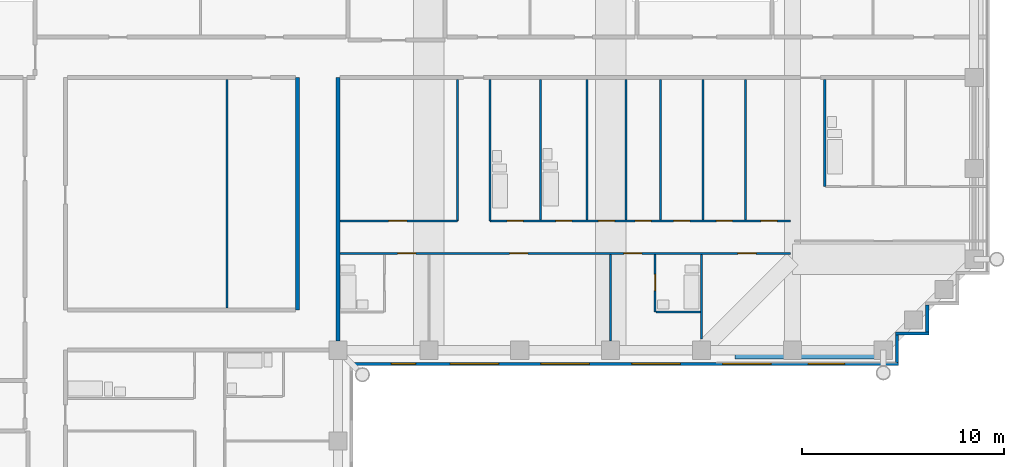
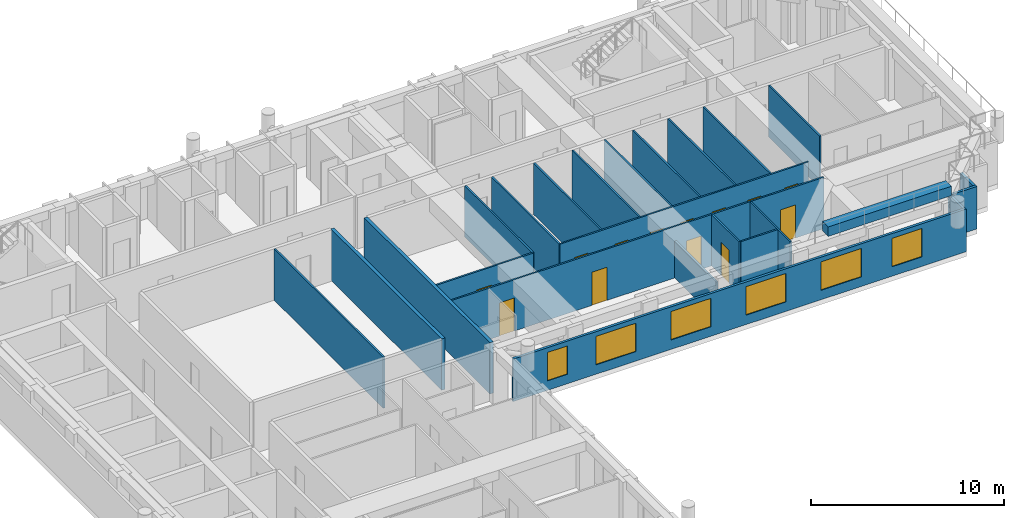
# One storey, part 4 of 9: 24 walls, 13 doors, 6 windows, 19 openings.
"""IFC4 building model written with IfcOpenShell, lengths in metres."""

import ifcopenshell
import ifcopenshell.guid

model = None  # the IFC model being written
_history = None  # IfcOwnerHistory: only IFC2X3 demands one
_inside = {}  # id of a spatial element -> (the spatial element, [elements in it])
_under = {}  # id of a project, library or spatial element -> (it, [spatial elements below it])
_declared = {}  # id of a project -> (the project, [libraries it declares])
_typed = {}  # id of a type object -> (the type object, [elements of that type])
_made_of = {}  # id of a material, layer set ... -> (it, [elements and type objects made of it])


def new_model(schema):
    """Start an empty IFC model of exactly this schema.

    Asked for "IFC4X3", IfcOpenShell would pick the latest addendum, in which some entities
    have other attributes; the version numbers below select the first issue.
    IFC2X3 requires an IfcOwnerHistory on every rooted entity: one is made here for all.
    """
    global model, _history
    if schema == "IFC4X3":
        model = ifcopenshell.file(schema_version=(4, 3, 0, 0))
    else:
        model = ifcopenshell.file(schema=schema)
    _inside.clear()
    _under.clear()
    _declared.clear()
    _typed.clear()
    _made_of.clear()
    _history = None
    if model.schema == "IFC2X3":
        org = make("IfcOrganization", Name="unknown")
        user = make(
            "IfcPersonAndOrganization",
            ThePerson=make("IfcPerson", FamilyName="unknown"),
            TheOrganization=org,
        )
        app = make(
            "IfcApplication",
            ApplicationDeveloper=org,
            Version="unknown",
            ApplicationFullName="unknown",
            ApplicationIdentifier="unknown",
        )
        _history = make(
            "IfcOwnerHistory",
            OwningUser=user,
            OwningApplication=app,
            ChangeAction="ADDED",
            CreationDate=0,
        )
    return model


def make(cls, **values):
    """One entity of the class cls with the attributes given. An attribute that is None is left unset."""
    return model.create_entity(
        cls, **{name: value for name, value in values.items() if value is not None}
    )


def rooted(cls, **values):
    """An entity with a GlobalId (a new one), such as an element, a storey or a relation."""
    return make(cls, GlobalId=ifcopenshell.guid.new(), OwnerHistory=_history, **values)


def si_unit(unit_type, name, prefix=None):
    """IfcSIUnit, for example si_unit("LENGTHUNIT", "METRE", prefix="MILLI")."""
    return make("IfcSIUnit", UnitType=unit_type, Prefix=prefix, Name=name)


def assignment(units):
    """IfcUnitAssignment: the units of a project."""
    return None if units is None else make("IfcUnitAssignment", Units=units)


def point(xyz):
    """IfcCartesianPoint."""
    return None if xyz is None else make("IfcCartesianPoint", Coordinates=xyz)


def direction(xyz):
    """IfcDirection."""
    return None if xyz is None else make("IfcDirection", DirectionRatios=xyz)


def frame(location, z_axis=None, x_axis=None):
    """IfcAxis2Placement3D, a coordinate frame: its origin and axes. An axis left out is left unset."""
    return make(
        "IfcAxis2Placement3D",
        Location=point(location),
        Axis=direction(z_axis),
        RefDirection=direction(x_axis),
    )


def frame_2d(location, x_axis=None):
    """IfcAxis2Placement2D, a coordinate frame in the plane: its origin and x axis."""
    return make(
        "IfcAxis2Placement2D", Location=point(location), RefDirection=direction(x_axis)
    )


def origin():
    """The frame at (0, 0, 0) with its axes left unset."""
    return frame((0.0, 0.0, 0.0))


def place(relative_to, where):
    """IfcLocalPlacement: puts the frame where relative to a parent placement (None: the world)."""
    return make(
        "IfcLocalPlacement", PlacementRelTo=relative_to, RelativePlacement=where
    )


def context(
    kind, dimensions, precision=None, world=None, true_north=None, identifier=None
):
    """IfcGeometricRepresentationContext, for example the 3D "Model" context."""
    return make(
        "IfcGeometricRepresentationContext",
        ContextIdentifier=identifier,
        ContextType=kind,
        CoordinateSpaceDimension=dimensions,
        Precision=precision,
        WorldCoordinateSystem=world,
        TrueNorth=true_north,
    )


def subcontext(parent, identifier, kind, view, scale=None):
    """IfcGeometricRepresentationSubContext, for example "Body" below "Model"."""
    return make(
        "IfcGeometricRepresentationSubContext",
        ContextIdentifier=identifier,
        ContextType=kind,
        ParentContext=parent,
        TargetScale=scale,
        TargetView=view,
    )


def project(units=None, contexts=None):
    """IfcProject with its units and contexts."""
    return rooted(
        "IfcProject",
        Name="project",
        RepresentationContexts=contexts,
        UnitsInContext=assignment(units),
    )


def spatial(cls, under=None, at=None, **own):
    """A site, building, storey or space (cls), placed at a placement, below another one or the project."""
    s = rooted(cls, ObjectPlacement=at, **own)
    if under is not None:
        _under.setdefault(under.id(), (under, []))[1].append(s)
    return s


def profile(cls, at=None, kind="AREA", **sizes):
    """A parametric profile (cls). Its sizes go by their IFC names, for example OverallWidth=200.0."""
    return make(cls, ProfileType=kind, Position=at, **sizes)


def rectangle(**sizes):
    """IfcRectangleProfileDef."""
    return profile("IfcRectangleProfileDef", **sizes)


def extrude(swept, where, along, depth):
    """IfcExtrudedAreaSolid: the profile swept, set in the frame where, extruded along a direction by depth."""
    return make(
        "IfcExtrudedAreaSolid",
        SweptArea=swept,
        Position=where,
        ExtrudedDirection=direction(along),
        Depth=depth,
    )


def shape(context_of_items, identifier, shape_type, items):
    """IfcShapeRepresentation: the items that make up one representation, for example the "Body"."""
    return make(
        "IfcShapeRepresentation",
        ContextOfItems=context_of_items,
        RepresentationIdentifier=identifier,
        RepresentationType=shape_type,
        Items=items,
    )


def material(Name=None, Category=None):
    """IfcMaterial."""
    return make("IfcMaterial", Name=Name, Category=Category)


def layer(
    of_material, thickness, ventilated=None, Name=None, Category=None, Priority=None
):
    """IfcMaterialLayer: one layer of a wall or slab, of a material (None: an air gap)."""
    return make(
        "IfcMaterialLayer",
        Material=of_material,
        LayerThickness=thickness,
        IsVentilated=ventilated,
        Name=Name,
        Category=Category,
        Priority=Priority,
    )


def layer_set(layers, Name=None):
    """IfcMaterialLayerSet."""
    return make("IfcMaterialLayerSet", MaterialLayers=layers, LayerSetName=Name)


def made_of(thing, what):
    """Note that an element or type object is made of a material, layer set ...; save() writes the relation."""
    if what is not None:
        _made_of.setdefault(what.id(), (what, []))[1].append(thing)
    return thing


def type_object(cls, material=None, **own):
    """A type object (cls), such as IfcWallType, which elements share."""
    return made_of(rooted(cls, **own), material)


def element(
    cls,
    number,
    at=None,
    inside=None,
    cuts=None,
    type_object=None,
    material=None,
    context=None,
    identifier="Body",
    shape_type=None,
    held_by="IfcProductDefinitionShape",
    body=None,
    shapes=None,
    **own,
):
    """One element of the class cls, such as IfcWall. Its Tag is "e" and its number.

    at: its placement. inside: the storey or other place that contains it. cuts: it is an
    opening in that element (IfcRelVoidsElement). A single representation is given by context,
    identifier, shape_type and body (its items); several are given by shapes. held_by: the class
    of the entity that holds the representations. save() writes the other relations.
    """
    e = rooted(cls, Tag="e%d" % number, ObjectPlacement=at, **own)
    if body is not None:
        shapes = [shape(context, identifier, shape_type, body)]
    if shapes is not None:
        e.Representation = make(held_by, Representations=shapes)
    if inside is not None:
        _inside.setdefault(inside.id(), (inside, []))[1].append(e)
    if cuts is not None:
        rooted(
            "IfcRelVoidsElement", RelatingBuildingElement=cuts, RelatedOpeningElement=e
        )
    if type_object is not None:
        _typed.setdefault(type_object.id(), (type_object, []))[1].append(e)
    return made_of(e, material)


def fill(opening, filler):
    """IfcRelFillsElement: the door or window that sits in an opening."""
    return rooted(
        "IfcRelFillsElement",
        RelatingOpeningElement=opening,
        RelatedBuildingElement=filler,
    )


def aggregate(whole, parts):
    """IfcRelAggregates: a whole, such as a stair, and the parts it consists of."""
    return rooted("IfcRelAggregates", RelatingObject=whole, RelatedObjects=parts)


def save(model, path):
    """Write the relations noted so far, then the file.

    IfcRelAggregates (storeys below a building ...), IfcRelContainedInSpatialStructure (elements
    in a storey), IfcRelDefinesByType, IfcRelAssociatesMaterial and IfcRelDeclares: one each for
    every whole, place, type object, material and project.
    """
    for whole, parts in _under.values():
        aggregate(whole, parts)
    for where, things in _inside.values():
        rooted(
            "IfcRelContainedInSpatialStructure",
            RelatedElements=things,
            RelatingStructure=where,
        )
    for kind, things in _typed.values():
        rooted("IfcRelDefinesByType", RelatedObjects=things, RelatingType=kind)
    for what, things in _made_of.values():
        rooted("IfcRelAssociatesMaterial", RelatedObjects=things, RelatingMaterial=what)
    for by, libraries in _declared.values():
        rooted("IfcRelDeclares", RelatingContext=by, RelatedDefinitions=libraries)
    model.write(path)


model = new_model("IFC4")

# Units and contexts
model_context = context("Model", 3, precision=1e-05, world=origin(), true_north=direction((0.0, 1.0)))
body_context = subcontext(model_context, "Body", "Model", "MODEL_VIEW")
ifc_project = project(units=[si_unit("LENGTHUNIT", "METRE"), si_unit("AREAUNIT", "SQUARE_METRE"), si_unit("VOLUMEUNIT", "CUBIC_METRE"), si_unit("PLANEANGLEUNIT", "RADIAN"), si_unit("MASSUNIT", "GRAM", prefix="KILO")], contexts=[model_context])

# Site, building, storey
site_placement = place(None, origin())
site = spatial("IfcSite", under=ifc_project, at=site_placement, CompositionType="ELEMENT")
building_placement = place(site_placement, origin())
building = spatial("IfcBuilding", under=site, at=building_placement, Name="Firuza Court", CompositionType="ELEMENT")
storey_placement = place(building_placement, frame((0.0, 0.0, 229.39990234375)))
storey = spatial("IfcBuildingStorey", under=building, at=storey_placement, Name="L59", CompositionType="ELEMENT", Elevation=229.39990234375)

# Wall, opening, door
ifc_material_1 = material(Name="Moisture-resistant gypsum board partition")
ifc_layer_1 = layer(ifc_material_1, 0.10009765625)
ifc_layer_set_1 = layer_set([ifc_layer_1], Name="Moisture-resistant gypsum board partition")
wall_type_1 = type_object("IfcWallType", Name="Bathroom partition 100", PredefinedType="PLUMBINGWALL", material=ifc_layer_set_1)
wall_1_placement = place(storey_placement, frame((38.199951171875, 37.89990234375, 0.0), z_axis=(0.0, 0.0, 1.0), x_axis=(0.0, 1.0, 0.0)))
wall_1 = element("IfcWall", 1, at=wall_1_placement, inside=storey, type_object=wall_type_1, Name="Bathroom partition 100 L59", PredefinedType="PLUMBINGWALL", context=body_context, shape_type="SweptSolid", body=[
    extrude(rectangle(XDim=2.85009765625, YDim=0.10009765625, at=frame_2d((1.425048828125, 0.0))), origin(), (0.0, 0.0, 1.0), 3.25),
])
opening_1_placement = place(wall_1_placement, frame((1.050048828125, 0.0, 0.0)))
opening_1 = element("IfcOpeningElement", 2, at=opening_1_placement, cuts=wall_1, Name="Opening D59027", PredefinedType="OPENING", context=body_context, shape_type="SweptSolid", body=[
    extrude(rectangle(XDim=0.800048828125, YDim=2.10009765625, at=frame_2d((0.39990234375, 1.050048828125))), frame((0.0, 0.06201171875, 0.0), z_axis=(0.0, -1.0, 0.0), x_axis=(1.0, 0.0, 0.0)), (0.0, 0.0, 1.0), 0.1240234375),
])
ifc_material_2 = material(Name="Timber door leaf in hardwood frame", Category="wood")
door_type_1 = type_object("IfcDoorType", Name="Bathroom door 800", OperationType="SINGLE_SWING_LEFT", PredefinedType="DOOR", material=ifc_material_2)
door_1_placement = place(opening_1_placement, frame((0.800048828125, 0.0, 0.0), z_axis=(0.0, 0.0, 1.0), x_axis=(-1.0, 0.0, 0.0)))
door_1 = element("IfcDoor", 3, at=door_1_placement, inside=storey, type_object=door_type_1, Name="En-suite door", OperationType="SINGLE_SWING_RIGHT", OverallHeight=2.10009765625, OverallWidth=0.800048828125, PredefinedType="DOOR", context=body_context, shape_type="SweptSolid", body=[
    extrude(rectangle(XDim=0.800048828125, YDim=2.10009765625, at=frame_2d((0.39990234375, 1.050048828125))), frame((0.0, 0.02490234375, 0.0), z_axis=(0.0, -1.0, 0.0), x_axis=(1.0, 0.0, 0.0)), (0.0, 0.0, 1.0), 0.050048828125),
])
fill(opening_1, door_1)

# Walls
wall_2_placement = place(storey_placement, frame((38.25, 37.89990234375, 0.0), z_axis=(0.0, 0.0, 1.0), x_axis=(1.0, 0.0, 0.0)))
element("IfcWall", 4, at=wall_2_placement, inside=storey, type_object=wall_type_1, Name="Bathroom partition 100 L59", PredefinedType="PLUMBINGWALL", context=body_context, shape_type="SweptSolid", body=[
    extrude(rectangle(XDim=2.199951171875, YDim=0.10009765625, at=frame_2d((1.10009765625, 0.0))), origin(), (0.0, 0.0, 1.0), 3.25),
])
wall_3_placement = place(storey_placement, frame((30.014892578125, 42.39990234375, 0.0), z_axis=(0.0, 0.0, 1.0), x_axis=(0.0, 1.0, 0.0)))
element("IfcWall", 5, at=wall_3_placement, inside=storey, type_object=wall_type_1, Name="Bathroom partition 100 L59", PredefinedType="PLUMBINGWALL", context=body_context, shape_type="SweptSolid", body=[
    extrude(rectangle(XDim=7.0, YDim=0.10009765625, at=frame_2d((3.5, 0.0))), origin(), (0.0, 0.0, 1.0), 3.25),
])
for number, where, z_axis, x_axis, name in (
    (6, (32.528076171875, 42.449951171875, 0.0), (0.0, 0.0, 1.0), (0.0, 1.0, 0.0), "Bathroom partition 100 L59"),
    (7, (34.840087890625, 42.449951171875, 0.0), (0.0, 0.0, 1.0), (0.0, 1.0, 0.0), "Bathroom partition 100 L59"),
):
    element("IfcWall", number, at=place(storey_placement, frame(where, z_axis=z_axis, x_axis=x_axis)), inside=storey, type_object=wall_type_1, Name=name, PredefinedType="PLUMBINGWALL", context=body_context, shape_type="SweptSolid", body=[
        extrude(rectangle(XDim=6.949951171875, YDim=0.10009765625, at=frame_2d((3.47509765625, 0.0))), origin(), (0.0, 0.0, 1.0), 3.25),
    ])
wall_4_placement = place(storey_placement, frame((46.60009765625, 44.10009765625, 0.0), z_axis=(0.0, 0.0, 1.0), x_axis=(0.0, 1.0, 0.0)))
element("IfcWall", 8, at=wall_4_placement, inside=storey, type_object=wall_type_1, Name="Bathroom partition 100 L59", PredefinedType="PLUMBINGWALL", context=body_context, shape_type="SweptSolid", body=[
    extrude(rectangle(XDim=5.2998046875, YDim=0.10009765625, at=frame_2d((2.64990234375, 0.0))), origin(), (0.0, 0.0, 1.0), 3.25),
])
ifc_material_3 = material(Name="Blockwork, plastered both sides", Category="masonry")
ifc_layer_2 = layer(ifc_material_3, 0.199951171875)
ifc_layer_set_2 = layer_set([ifc_layer_2], Name="Blockwork, plastered both sides")
wall_type_2 = type_object("IfcWallType", Name="Corridor wall 200", PredefinedType="PARTITIONING", material=ifc_layer_set_2)
wall_5_placement = place(storey_placement, frame((20.5, 38.0, 0.0), z_axis=(0.0, 0.0, 1.0), x_axis=(0.0, 1.0, 0.0)))
element("IfcWall", 9, at=wall_5_placement, inside=storey, type_object=wall_type_2, Name="Corridor wall 200 L59", PredefinedType="PARTITIONING", context=body_context, shape_type="SweptSolid", body=[
    extrude(rectangle(XDim=11.5, YDim=0.199951171875, at=frame_2d((5.75, 0.0))), origin(), (0.0, 0.0, 1.0), 3.25),
])
ifc_material_4 = material(Name="Timber stud partition, plasterboard both sides", Category="wood")
ifc_layer_3 = layer(ifc_material_4, 0.10009765625)
ifc_layer_set_3 = layer_set([ifc_layer_3], Name="Timber stud partition, plasterboard both sides")
wall_type_3 = type_object("IfcWallType", Name="Partition wall 100", PredefinedType="PARTITIONING", material=ifc_layer_set_3)
wall_6_placement = place(storey_placement, frame((36.0, 36.449951171875, 0.0), z_axis=(0.0, 0.0, 1.0), x_axis=(0.0, 1.0, 0.0)))
element("IfcWall", 10, at=wall_6_placement, inside=storey, type_object=wall_type_3, Name="Partition wall 100 L59", PredefinedType="PARTITIONING", context=body_context, shape_type="SweptSolid", body=[
    extrude(rectangle(XDim=4.300048828125, YDim=0.10009765625, at=frame_2d((2.14990234375, 0.0))), origin(), (0.0, 0.0, 1.0), 2.35009765625),
])
wall_7_placement = place(storey_placement, frame((40.5, 36.565673828125, 0.0), z_axis=(0.0, 0.0, 1.0), x_axis=(0.0, 1.0, 0.0)))
element("IfcWall", 11, at=wall_7_placement, inside=storey, type_object=wall_type_3, Name="Partition wall 100 L59", PredefinedType="PARTITIONING", context=body_context, shape_type="SweptSolid", body=[
    extrude(rectangle(XDim=4.184326171875, YDim=0.10009765625, at=frame_2d((2.09228515625, 0.0))), origin(), (0.0, 0.0, 1.0), 3.25),
])
wall_8_placement = place(storey_placement, frame((17.0, 38.10009765625, 0.0), z_axis=(0.0, 0.0, 1.0), x_axis=(0.0, 1.0, 0.0)))
element("IfcWall", 12, at=wall_8_placement, inside=storey, type_object=wall_type_3, Name="Partition wall 100 L59", PredefinedType="PARTITIONING", context=body_context, shape_type="SweptSolid", body=[
    extrude(rectangle(XDim=11.2998046875, YDim=0.10009765625, at=frame_2d((5.64990234375, 0.0))), origin(), (0.0, 0.0, 1.0), 3.25),
])

# Wall, openings, doors
wall_9_placement = place(storey_placement, frame((22.60009765625, 40.800048828125, 0.0), z_axis=(0.0, 0.0, 1.0), x_axis=(1.0, 0.0, 0.0)))
wall_9 = element("IfcWall", 13, at=wall_9_placement, inside=storey, type_object=wall_type_3, Name="Partition wall 100 L59", PredefinedType="PARTITIONING", context=body_context, shape_type="SweptSolid", body=[
    extrude(rectangle(XDim=22.2998046875, YDim=0.10009765625, at=frame_2d((11.14990234375, 0.0))), origin(), (0.0, 0.0, 1.0), 3.25),
])
opening_2_placement = place(wall_9_placement, frame((2.85009765625, 0.0, 0.0)))
opening_2 = element("IfcOpeningElement", 14, at=opening_2_placement, cuts=wall_9, Name="Opening D59029", PredefinedType="OPENING", context=body_context, shape_type="SweptSolid", body=[
    extrude(rectangle(XDim=0.89990234375, YDim=2.10009765625, at=frame_2d((0.449951171875, 1.050048828125))), frame((0.0, 0.06201171875, 0.0), z_axis=(0.0, -1.0, 0.0), x_axis=(1.0, 0.0, 0.0)), (0.0, 0.0, 1.0), 0.1240234375),
])
opening_3_placement = place(wall_9_placement, frame((8.39990234375, 0.0, 0.0)))
opening_3 = element("IfcOpeningElement", 15, at=opening_3_placement, cuts=wall_9, Name="Opening D59030", PredefinedType="OPENING", context=body_context, shape_type="SweptSolid", body=[
    extrude(rectangle(XDim=0.89990234375, YDim=2.10009765625, at=frame_2d((0.449951171875, 1.050048828125))), frame((0.0, 0.06201171875, 0.0), z_axis=(0.0, -1.0, 0.0), x_axis=(1.0, 0.0, 0.0)), (0.0, 0.0, 1.0), 0.1240234375),
])
opening_4_placement = place(wall_9_placement, frame((14.050048828125, 0.0, 0.0)))
opening_4 = element("IfcOpeningElement", 16, at=opening_4_placement, cuts=wall_9, Name="Opening D59031", PredefinedType="OPENING", context=body_context, shape_type="SweptSolid", body=[
    extrude(rectangle(XDim=0.89990234375, YDim=2.10009765625, at=frame_2d((0.449951171875, 1.050048828125))), frame((0.0, 0.06201171875, 0.0), z_axis=(0.0, -1.0, 0.0), x_axis=(1.0, 0.0, 0.0)), (0.0, 0.0, 1.0), 0.1240234375),
])
opening_5_placement = place(wall_9_placement, frame((19.699951171875, 0.0, 0.0)))
opening_5 = element("IfcOpeningElement", 17, at=opening_5_placement, cuts=wall_9, Name="Opening D59032", PredefinedType="OPENING", context=body_context, shape_type="SweptSolid", body=[
    extrude(rectangle(XDim=0.89990234375, YDim=2.10009765625, at=frame_2d((0.449951171875, 1.050048828125))), frame((0.0, 0.06201171875, 0.0), z_axis=(0.0, -1.0, 0.0), x_axis=(1.0, 0.0, 0.0)), (0.0, 0.0, 1.0), 0.1240234375),
])
ifc_material_5 = material(Name="Timber door leaf in hardwood frame", Category="wood")
door_type_2 = type_object("IfcDoorType", Name="Room door 900", OperationType="SINGLE_SWING_LEFT", PredefinedType="DOOR", material=ifc_material_5)
door_2_placement = place(opening_2_placement, frame((0.89990234375, 0.0, 0.0), z_axis=(0.0, 0.0, 1.0), x_axis=(-1.0, 0.0, 0.0)))
door_2 = element("IfcDoor", 18, at=door_2_placement, inside=storey, type_object=door_type_2, Name="Bedroom door", OperationType="SINGLE_SWING_RIGHT", OverallHeight=2.10009765625, OverallWidth=0.89990234375, PredefinedType="DOOR", context=body_context, shape_type="SweptSolid", body=[
    extrude(rectangle(XDim=0.89990234375, YDim=2.10009765625, at=frame_2d((0.449951171875, 1.050048828125))), frame((0.0, 0.02490234375, 0.0), z_axis=(0.0, -1.0, 0.0), x_axis=(1.0, 0.0, 0.0)), (0.0, 0.0, 1.0), 0.050048828125),
])
fill(opening_2, door_2)
door_3_placement = place(opening_3_placement, frame((0.89990234375, 0.0, 0.0), z_axis=(0.0, 0.0, 1.0), x_axis=(-1.0, 0.0, 0.0)))
door_3 = element("IfcDoor", 19, at=door_3_placement, inside=storey, type_object=door_type_2, Name="Living room door", OperationType="SINGLE_SWING_RIGHT", OverallHeight=2.10009765625, OverallWidth=0.89990234375, PredefinedType="DOOR", context=body_context, shape_type="SweptSolid", body=[
    extrude(rectangle(XDim=0.89990234375, YDim=2.10009765625, at=frame_2d((0.449951171875, 1.050048828125))), frame((0.0, 0.02490234375, 0.0), z_axis=(0.0, -1.0, 0.0), x_axis=(1.0, 0.0, 0.0)), (0.0, 0.0, 1.0), 0.050048828125),
])
fill(opening_3, door_3)
door_4_placement = place(opening_4_placement, frame((0.89990234375, 0.0, 0.0), z_axis=(0.0, 0.0, 1.0), x_axis=(-1.0, 0.0, 0.0)))
door_4 = element("IfcDoor", 20, at=door_4_placement, inside=storey, type_object=door_type_2, Name="Bedroom door", OperationType="SINGLE_SWING_RIGHT", OverallHeight=2.10009765625, OverallWidth=0.89990234375, PredefinedType="DOOR", context=body_context, shape_type="SweptSolid", body=[
    extrude(rectangle(XDim=0.89990234375, YDim=2.10009765625, at=frame_2d((0.449951171875, 1.050048828125))), frame((0.0, 0.02490234375, 0.0), z_axis=(0.0, -1.0, 0.0), x_axis=(1.0, 0.0, 0.0)), (0.0, 0.0, 1.0), 0.050048828125),
])
fill(opening_4, door_4)
door_5_placement = place(opening_5_placement, frame((0.89990234375, 0.0, 0.0), z_axis=(0.0, 0.0, 1.0), x_axis=(-1.0, 0.0, 0.0)))
door_5 = element("IfcDoor", 21, at=door_5_placement, inside=storey, type_object=door_type_2, Name="Study door", OperationType="SINGLE_SWING_LEFT", OverallHeight=2.10009765625, OverallWidth=0.89990234375, PredefinedType="DOOR", context=body_context, shape_type="SweptSolid", body=[
    extrude(rectangle(XDim=0.89990234375, YDim=2.10009765625, at=frame_2d((0.449951171875, 1.050048828125))), frame((0.0, 0.02490234375, 0.0), z_axis=(0.0, -1.0, 0.0), x_axis=(1.0, 0.0, 0.0)), (0.0, 0.0, 1.0), 0.050048828125),
])
fill(opening_5, door_5)

# Wall, opening, door
wall_10_placement = place(storey_placement, frame((22.60009765625, 42.39990234375, 0.0), z_axis=(0.0, 0.0, 1.0), x_axis=(1.0, 0.0, 0.0)))
wall_10 = element("IfcWall", 22, at=wall_10_placement, inside=storey, type_object=wall_type_3, Name="Partition wall 100 L59", PredefinedType="PARTITIONING", context=body_context, shape_type="SweptSolid", body=[
    extrude(rectangle(XDim=5.8154296875, YDim=0.10009765625, at=frame_2d((2.90771484375, 0.0))), origin(), (0.0, 0.0, 1.0), 3.25),
])
opening_6_placement = place(wall_10_placement, frame((2.40771484375, 0.0, 0.0)))
opening_6 = element("IfcOpeningElement", 23, at=opening_6_placement, cuts=wall_10, Name="Opening D59034", PredefinedType="OPENING", context=body_context, shape_type="SweptSolid", body=[
    extrude(rectangle(XDim=0.89990234375, YDim=2.10009765625, at=frame_2d((0.449951171875, 1.050048828125))), frame((0.0, 0.06201171875, 0.0), z_axis=(0.0, -1.0, 0.0), x_axis=(1.0, 0.0, 0.0)), (0.0, 0.0, 1.0), 0.1240234375),
])
door_6_placement = place(opening_6_placement, origin())
door_6 = element("IfcDoor", 24, at=door_6_placement, inside=storey, type_object=door_type_2, Name="Kitchen door", OperationType="SINGLE_SWING_LEFT", OverallHeight=2.10009765625, OverallWidth=0.89990234375, PredefinedType="DOOR", context=body_context, shape_type="SweptSolid", body=[
    extrude(rectangle(XDim=0.89990234375, YDim=2.10009765625, at=frame_2d((0.449951171875, 1.050048828125))), frame((0.0, 0.02490234375, 0.0), z_axis=(0.0, -1.0, 0.0), x_axis=(1.0, 0.0, 0.0)), (0.0, 0.0, 1.0), 0.050048828125),
])
fill(opening_6, door_6)

# Wall
wall_11_placement = place(storey_placement, frame((28.416015625, 42.39990234375, 0.0), z_axis=(0.0, 0.0, 1.0), x_axis=(0.0, 1.0, 0.0)))
element("IfcWall", 25, at=wall_11_placement, inside=storey, type_object=wall_type_3, Name="Partition wall 100 L59", PredefinedType="PARTITIONING", context=body_context, shape_type="SweptSolid", body=[
    extrude(rectangle(XDim=7.0, YDim=0.10009765625, at=frame_2d((3.5, 0.0))), origin(), (0.0, 0.0, 1.0), 3.25),
])

# Wall, openings, doors
wall_12_placement = place(storey_placement, frame((30.015380859375, 42.39990234375, 0.0), z_axis=(0.0, 0.0, 1.0), x_axis=(1.0, 0.0, 0.0)))
wall_12 = element("IfcWall", 26, at=wall_12_placement, inside=storey, type_object=wall_type_3, Name="Partition wall 100 L59", PredefinedType="PARTITIONING", context=body_context, shape_type="SweptSolid", body=[
    extrude(rectangle(XDim=14.884521484375, YDim=0.10009765625, at=frame_2d((7.4423828125, 0.0))), origin(), (0.0, 0.0, 1.0), 3.25),
])
opening_7_placement = place(wall_12_placement, frame((0.85595703125, 0.0, 0.0)))
opening_7 = element("IfcOpeningElement", 27, at=opening_7_placement, cuts=wall_12, Name="Opening D59035", PredefinedType="OPENING", context=body_context, shape_type="SweptSolid", body=[
    extrude(rectangle(XDim=0.800048828125, YDim=2.10009765625, at=frame_2d((0.39990234375, 1.050048828125))), frame((0.0, 0.06201171875, 0.0), z_axis=(0.0, -1.0, 0.0), x_axis=(1.0, 0.0, 0.0)), (0.0, 0.0, 1.0), 0.1240234375),
])
opening_8_placement = place(wall_12_placement, frame((3.26806640625, 0.0, 0.0)))
opening_8 = element("IfcOpeningElement", 28, at=opening_8_placement, cuts=wall_12, Name="Opening D59036", PredefinedType="OPENING", context=body_context, shape_type="SweptSolid", body=[
    extrude(rectangle(XDim=0.800048828125, YDim=2.10009765625, at=frame_2d((0.39990234375, 1.050048828125))), frame((0.0, 0.06201171875, 0.0), z_axis=(0.0, -1.0, 0.0), x_axis=(1.0, 0.0, 0.0)), (0.0, 0.0, 1.0), 0.1240234375),
])
opening_9_placement = place(wall_12_placement, frame((13.428466796875, 0.0, 0.0)))
opening_9 = element("IfcOpeningElement", 29, at=opening_9_placement, cuts=wall_12, Name="Opening D59037", PredefinedType="OPENING", context=body_context, shape_type="SweptSolid", body=[
    extrude(rectangle(XDim=0.800048828125, YDim=2.10009765625, at=frame_2d((0.39990234375, 1.050048828125))), frame((0.0, 0.06201171875, 0.0), z_axis=(0.0, -1.0, 0.0), x_axis=(1.0, 0.0, 0.0)), (0.0, 0.0, 1.0), 0.1240234375),
])
opening_10_placement = place(wall_12_placement, frame((11.21630859375, 0.0, 0.0)))
opening_10 = element("IfcOpeningElement", 30, at=opening_10_placement, cuts=wall_12, Name="Opening D59038", PredefinedType="OPENING", context=body_context, shape_type="SweptSolid", body=[
    extrude(rectangle(XDim=0.800048828125, YDim=2.10009765625, at=frame_2d((0.39990234375, 1.050048828125))), frame((0.0, 0.06201171875, 0.0), z_axis=(0.0, -1.0, 0.0), x_axis=(1.0, 0.0, 0.0)), (0.0, 0.0, 1.0), 0.1240234375),
])
opening_11_placement = place(wall_12_placement, frame((7.192138671875, 0.0, 0.0)))
opening_11 = element("IfcOpeningElement", 31, at=opening_11_placement, cuts=wall_12, Name="Opening D59039", PredefinedType="OPENING", context=body_context, shape_type="SweptSolid", body=[
    extrude(rectangle(XDim=0.800048828125, YDim=2.10009765625, at=frame_2d((0.39990234375, 1.050048828125))), frame((0.0, 0.06201171875, 0.0), z_axis=(0.0, -1.0, 0.0), x_axis=(1.0, 0.0, 0.0)), (0.0, 0.0, 1.0), 0.1240234375),
])
opening_12_placement = place(wall_12_placement, frame((9.104248046875, 0.0, 0.0)))
opening_12 = element("IfcOpeningElement", 32, at=opening_12_placement, cuts=wall_12, Name="Opening D59040", PredefinedType="OPENING", context=body_context, shape_type="SweptSolid", body=[
    extrude(rectangle(XDim=0.800048828125, YDim=2.10009765625, at=frame_2d((0.39990234375, 1.050048828125))), frame((0.0, 0.06201171875, 0.0), z_axis=(0.0, -1.0, 0.0), x_axis=(1.0, 0.0, 0.0)), (0.0, 0.0, 1.0), 0.1240234375),
])
opening_13_placement = place(wall_12_placement, frame((5.380126953125, 0.0, 0.0)))
opening_13 = element("IfcOpeningElement", 33, at=opening_13_placement, cuts=wall_12, Name="Opening D59041", PredefinedType="OPENING", context=body_context, shape_type="SweptSolid", body=[
    extrude(rectangle(XDim=0.800048828125, YDim=2.10009765625, at=frame_2d((0.39990234375, 1.050048828125))), frame((0.0, 0.06201171875, 0.0), z_axis=(0.0, -1.0, 0.0), x_axis=(1.0, 0.0, 0.0)), (0.0, 0.0, 1.0), 0.1240234375),
])
door_7_placement = place(opening_7_placement, origin())
door_7 = element("IfcDoor", 34, at=door_7_placement, inside=storey, type_object=door_type_1, Name="Bathroom door", OperationType="SINGLE_SWING_LEFT", OverallHeight=2.10009765625, OverallWidth=0.800048828125, PredefinedType="DOOR", context=body_context, shape_type="SweptSolid", body=[
    extrude(rectangle(XDim=0.800048828125, YDim=2.10009765625, at=frame_2d((0.39990234375, 1.050048828125))), frame((0.0, 0.02490234375, 0.0), z_axis=(0.0, -1.0, 0.0), x_axis=(1.0, 0.0, 0.0)), (0.0, 0.0, 1.0), 0.050048828125),
])
fill(opening_7, door_7)
door_8_placement = place(opening_8_placement, origin())
door_8 = element("IfcDoor", 35, at=door_8_placement, inside=storey, type_object=door_type_1, Name="Bathroom 2 door", OperationType="SINGLE_SWING_LEFT", OverallHeight=2.10009765625, OverallWidth=0.800048828125, PredefinedType="DOOR", context=body_context, shape_type="SweptSolid", body=[
    extrude(rectangle(XDim=0.800048828125, YDim=2.10009765625, at=frame_2d((0.39990234375, 1.050048828125))), frame((0.0, 0.02490234375, 0.0), z_axis=(0.0, -1.0, 0.0), x_axis=(1.0, 0.0, 0.0)), (0.0, 0.0, 1.0), 0.050048828125),
])
fill(opening_8, door_8)
ifc_material_6 = material(Name="Timber door leaf in hardwood frame", Category="wood")
door_type_3 = type_object("IfcDoorType", Name="Room door 800", OperationType="SINGLE_SWING_LEFT", PredefinedType="DOOR", material=ifc_material_6)
door_9_placement = place(opening_9_placement, origin())
door_9 = element("IfcDoor", 36, at=door_9_placement, inside=storey, type_object=door_type_3, Name="Laundry door", OperationType="SINGLE_SWING_RIGHT", OverallHeight=2.10009765625, OverallWidth=0.800048828125, PredefinedType="DOOR", context=body_context, shape_type="SweptSolid", body=[
    extrude(rectangle(XDim=0.800048828125, YDim=2.10009765625, at=frame_2d((0.39990234375, 1.050048828125))), frame((0.0, 0.02490234375, 0.0), z_axis=(0.0, -1.0, 0.0), x_axis=(1.0, 0.0, 0.0)), (0.0, 0.0, 1.0), 0.050048828125),
])
fill(opening_9, door_9)
door_10_placement = place(opening_10_placement, origin())
door_10 = element("IfcDoor", 37, at=door_10_placement, inside=storey, type_object=door_type_3, Name="Pantry door", OperationType="SINGLE_SWING_LEFT", OverallHeight=2.10009765625, OverallWidth=0.800048828125, PredefinedType="DOOR", context=body_context, shape_type="SweptSolid", body=[
    extrude(rectangle(XDim=0.800048828125, YDim=2.10009765625, at=frame_2d((0.39990234375, 1.050048828125))), frame((0.0, 0.02490234375, 0.0), z_axis=(0.0, -1.0, 0.0), x_axis=(1.0, 0.0, 0.0)), (0.0, 0.0, 1.0), 0.050048828125),
])
fill(opening_10, door_10)
door_11_placement = place(opening_11_placement, origin())
door_11 = element("IfcDoor", 38, at=door_11_placement, inside=storey, type_object=door_type_3, Name="Store door", OperationType="SINGLE_SWING_LEFT", OverallHeight=2.10009765625, OverallWidth=0.800048828125, PredefinedType="DOOR", context=body_context, shape_type="SweptSolid", body=[
    extrude(rectangle(XDim=0.800048828125, YDim=2.10009765625, at=frame_2d((0.39990234375, 1.050048828125))), frame((0.0, 0.02490234375, 0.0), z_axis=(0.0, -1.0, 0.0), x_axis=(1.0, 0.0, 0.0)), (0.0, 0.0, 1.0), 0.050048828125),
])
fill(opening_11, door_11)
door_12_placement = place(opening_12_placement, origin())
door_12 = element("IfcDoor", 39, at=door_12_placement, inside=storey, type_object=door_type_3, Name="Utility room door", OperationType="SINGLE_SWING_LEFT", OverallHeight=2.10009765625, OverallWidth=0.800048828125, PredefinedType="DOOR", context=body_context, shape_type="SweptSolid", body=[
    extrude(rectangle(XDim=0.800048828125, YDim=2.10009765625, at=frame_2d((0.39990234375, 1.050048828125))), frame((0.0, 0.02490234375, 0.0), z_axis=(0.0, -1.0, 0.0), x_axis=(1.0, 0.0, 0.0)), (0.0, 0.0, 1.0), 0.050048828125),
])
fill(opening_12, door_12)
door_13_placement = place(opening_13_placement, origin())
door_13 = element("IfcDoor", 40, at=door_13_placement, inside=storey, type_object=door_type_3, Name="Walk-in wardrobe door", OperationType="SINGLE_SWING_LEFT", OverallHeight=2.10009765625, OverallWidth=0.800048828125, PredefinedType="DOOR", context=body_context, shape_type="SweptSolid", body=[
    extrude(rectangle(XDim=0.800048828125, YDim=2.10009765625, at=frame_2d((0.39990234375, 1.050048828125))), frame((0.0, 0.02490234375, 0.0), z_axis=(0.0, -1.0, 0.0), x_axis=(1.0, 0.0, 0.0)), (0.0, 0.0, 1.0), 0.050048828125),
])
fill(opening_13, door_13)

# Walls
for number, where, z_axis, x_axis, name in (
    (41, (36.751953125, 42.449951171875, 0.0), (0.0, 0.0, 1.0), (0.0, 1.0, 0.0), "Partition wall 100 L59"),
    (42, (38.464111328125, 42.449951171875, 0.0), (0.0, 0.0, 1.0), (0.0, 1.0, 0.0), "Partition wall 100 L59"),
    (43, (40.575927734375, 42.449951171875, 0.0), (0.0, 0.0, 1.0), (0.0, 1.0, 0.0), "Partition wall 100 L59"),
    (44, (42.68798828125, 42.449951171875, 0.0), (0.0, 0.0, 1.0), (0.0, 1.0, 0.0), "Partition wall 100 L59"),
):
    element("IfcWall", number, at=place(storey_placement, frame(where, z_axis=z_axis, x_axis=x_axis)), inside=storey, type_object=wall_type_3, Name=name, PredefinedType="PARTITIONING", context=body_context, shape_type="SweptSolid", body=[
        extrude(rectangle(XDim=6.949951171875, YDim=0.10009765625, at=frame_2d((3.47509765625, 0.0))), origin(), (0.0, 0.0, 1.0), 3.25),
    ])
ifc_layer_4 = layer(ifc_material_3, 0.199951171875)
ifc_layer_set_4 = layer_set([ifc_layer_4], Name="Blockwork, plastered both sides")
wall_type_4 = type_object("IfcWallType", Name="Party wall 200", PredefinedType="PARTITIONING", material=ifc_layer_set_4)
wall_13_placement = place(storey_placement, frame((22.5, 36.449951171875, 0.0), z_axis=(0.0, 0.0, 1.0), x_axis=(0.0, 1.0, 0.0)))
element("IfcWall", 45, at=wall_13_placement, inside=storey, type_object=wall_type_4, Name="Party wall 200 L59", PredefinedType="PARTITIONING", context=body_context, shape_type="SweptSolid", body=[
    extrude(rectangle(XDim=13.050048828125, YDim=0.199951171875, at=frame_2d((6.52490234375, 0.0))), origin(), (0.0, 0.0, 1.0), 3.25),
])

# Wall, openings, windows
ifc_material_7 = material(Name="Ceramic tile", Category="ceramic")
ifc_layer_5 = layer(ifc_material_7, 0.02001953125)
ifc_material_8 = material(Name="Mineral wool insulation", Category="insulation")
ifc_layer_6 = layer(ifc_material_8, 0.050048828125)
ifc_material_9 = material(Name="Concrete C40/50 precast", Category="concrete")
ifc_layer_7 = layer(ifc_material_9, 0.080078125)
ifc_layer_set_5 = layer_set([ifc_layer_5, ifc_layer_6, ifc_layer_7], Name="Concrete C40/50 precast")
wall_type_5 = type_object("IfcWallType", Name="Precast cladding wall with turquoise TILE PANEL face 150", PredefinedType="STANDARD", material=ifc_layer_set_5)
wall_14_placement = place(storey_placement, frame((23.10009765625, 35.324951171875, 0.0), z_axis=(0.0, 0.0, 1.0), x_axis=(1.0, 0.0, 0.0)))
wall_14 = element("IfcWall", 46, at=wall_14_placement, inside=storey, type_object=wall_type_5, Name="Facade wall L59 S", PredefinedType="STANDARD", context=body_context, shape_type="SweptSolid", body=[
    extrude(rectangle(XDim=27.14990234375, YDim=0.14990234375, at=frame_2d((13.574951171875, 0.0))), origin(), (0.0, 0.0, 1.0), 2.7001953125),
])
opening_14_placement = place(wall_14_placement, frame((2.04345703125, 0.0, 0.60009765625)))
opening_14 = element("IfcOpeningElement", 47, at=opening_14_placement, cuts=wall_14, Name="Opening W8", PredefinedType="OPENING", context=body_context, shape_type="SweptSolid", body=[
    extrude(rectangle(XDim=1.199951171875, YDim=1.800048828125, at=frame_2d((0.60009765625, 0.89990234375))), frame((0.0, 0.0869140625, 0.0), z_axis=(0.0, -1.0, 0.0), x_axis=(1.0, 0.0, 0.0)), (0.0, 0.0, 1.0), 0.173828125),
])
opening_15_placement = place(wall_14_placement, frame((4.949951171875, 0.0, 0.60009765625)))
opening_15 = element("IfcOpeningElement", 48, at=opening_15_placement, cuts=wall_14, Name="Opening W1", PredefinedType="OPENING", context=body_context, shape_type="SweptSolid", body=[
    extrude(rectangle(XDim=2.39990234375, YDim=1.800048828125, at=frame_2d((1.199951171875, 0.89990234375))), frame((0.0, 0.0869140625, 0.0), z_axis=(0.0, -1.0, 0.0), x_axis=(1.0, 0.0, 0.0)), (0.0, 0.0, 1.0), 0.173828125),
])
opening_16_placement = place(wall_14_placement, frame((9.449951171875, 0.0, 0.60009765625)))
opening_16 = element("IfcOpeningElement", 49, at=opening_16_placement, cuts=wall_14, Name="Opening W1", PredefinedType="OPENING", context=body_context, shape_type="SweptSolid", body=[
    extrude(rectangle(XDim=2.39990234375, YDim=1.800048828125, at=frame_2d((1.199951171875, 0.89990234375))), frame((0.0, 0.0869140625, 0.0), z_axis=(0.0, -1.0, 0.0), x_axis=(1.0, 0.0, 0.0)), (0.0, 0.0, 1.0), 0.173828125),
])
opening_17_placement = place(wall_14_placement, frame((13.949951171875, 0.0, 0.60009765625)))
opening_17 = element("IfcOpeningElement", 50, at=opening_17_placement, cuts=wall_14, Name="Opening W1", PredefinedType="OPENING", context=body_context, shape_type="SweptSolid", body=[
    extrude(rectangle(XDim=2.39990234375, YDim=1.800048828125, at=frame_2d((1.199951171875, 0.89990234375))), frame((0.0, 0.0869140625, 0.0), z_axis=(0.0, -1.0, 0.0), x_axis=(1.0, 0.0, 0.0)), (0.0, 0.0, 1.0), 0.173828125),
])
opening_18_placement = place(wall_14_placement, frame((18.449951171875, 0.0, 0.60009765625)))
opening_18 = element("IfcOpeningElement", 51, at=opening_18_placement, cuts=wall_14, Name="Opening W1", PredefinedType="OPENING", context=body_context, shape_type="SweptSolid", body=[
    extrude(rectangle(XDim=2.39990234375, YDim=1.800048828125, at=frame_2d((1.199951171875, 0.89990234375))), frame((0.0, 0.0869140625, 0.0), z_axis=(0.0, -1.0, 0.0), x_axis=(1.0, 0.0, 0.0)), (0.0, 0.0, 1.0), 0.173828125),
])
opening_19_placement = place(wall_14_placement, frame((22.68017578125, 0.0, 0.60009765625)))
opening_19 = element("IfcOpeningElement", 52, at=opening_19_placement, cuts=wall_14, Name="Opening W7", PredefinedType="OPENING", context=body_context, shape_type="SweptSolid", body=[
    extrude(rectangle(XDim=1.800048828125, YDim=1.800048828125, at=frame_2d((0.89990234375, 0.89990234375))), frame((0.0, 0.0869140625, 0.0), z_axis=(0.0, -1.0, 0.0), x_axis=(1.0, 0.0, 0.0)), (0.0, 0.0, 1.0), 0.173828125),
])
ifc_material_10 = material(Name="Aluminium frame, triple clear glazing", Category="aluminium")
window_type_1 = type_object("IfcWindowType", Name="Window W1 2400 x 1800", PartitioningType="SINGLE_PANEL", PredefinedType="WINDOW", material=ifc_material_10)
window_1_placement = place(opening_15_placement, origin())
window_1 = element("IfcWindow", 53, at=window_1_placement, inside=storey, type_object=window_type_1, Name="Window L59", OverallHeight=1.800048828125, OverallWidth=2.39990234375, PartitioningType="SINGLE_PANEL", PredefinedType="WINDOW", context=body_context, shape_type="SweptSolid", body=[
    extrude(rectangle(XDim=2.39990234375, YDim=1.800048828125, at=frame_2d((1.199951171875, 0.89990234375))), frame((0.0, 0.030029296875, 0.0), z_axis=(0.0, -1.0, 0.0), x_axis=(1.0, 0.0, 0.0)), (0.0, 0.0, 1.0), 0.06005859375),
])
fill(opening_15, window_1)
window_2_placement = place(opening_16_placement, origin())
window_2 = element("IfcWindow", 54, at=window_2_placement, inside=storey, type_object=window_type_1, Name="Window L59", OverallHeight=1.800048828125, OverallWidth=2.39990234375, PartitioningType="SINGLE_PANEL", PredefinedType="WINDOW", context=body_context, shape_type="SweptSolid", body=[
    extrude(rectangle(XDim=2.39990234375, YDim=1.800048828125, at=frame_2d((1.199951171875, 0.89990234375))), frame((0.0, 0.030029296875, 0.0), z_axis=(0.0, -1.0, 0.0), x_axis=(1.0, 0.0, 0.0)), (0.0, 0.0, 1.0), 0.06005859375),
])
fill(opening_16, window_2)
window_3_placement = place(opening_17_placement, origin())
window_3 = element("IfcWindow", 55, at=window_3_placement, inside=storey, type_object=window_type_1, Name="Window L59", OverallHeight=1.800048828125, OverallWidth=2.39990234375, PartitioningType="SINGLE_PANEL", PredefinedType="WINDOW", context=body_context, shape_type="SweptSolid", body=[
    extrude(rectangle(XDim=2.39990234375, YDim=1.800048828125, at=frame_2d((1.199951171875, 0.89990234375))), frame((0.0, 0.030029296875, 0.0), z_axis=(0.0, -1.0, 0.0), x_axis=(1.0, 0.0, 0.0)), (0.0, 0.0, 1.0), 0.06005859375),
])
fill(opening_17, window_3)
window_4_placement = place(opening_18_placement, origin())
window_4 = element("IfcWindow", 56, at=window_4_placement, inside=storey, type_object=window_type_1, Name="Window L59", OverallHeight=1.800048828125, OverallWidth=2.39990234375, PartitioningType="SINGLE_PANEL", PredefinedType="WINDOW", context=body_context, shape_type="SweptSolid", body=[
    extrude(rectangle(XDim=2.39990234375, YDim=1.800048828125, at=frame_2d((1.199951171875, 0.89990234375))), frame((0.0, 0.030029296875, 0.0), z_axis=(0.0, -1.0, 0.0), x_axis=(1.0, 0.0, 0.0)), (0.0, 0.0, 1.0), 0.06005859375),
])
fill(opening_18, window_4)
ifc_material_11 = material(Name="Aluminium frame, triple clear glazing", Category="aluminium")
window_type_2 = type_object("IfcWindowType", Name="Window W7 1800 x 1800", PartitioningType="SINGLE_PANEL", PredefinedType="WINDOW", material=ifc_material_11)
window_5_placement = place(opening_19_placement, origin())
window_5 = element("IfcWindow", 57, at=window_5_placement, inside=storey, type_object=window_type_2, Name="Window L59", OverallHeight=1.800048828125, OverallWidth=1.800048828125, PartitioningType="SINGLE_PANEL", PredefinedType="WINDOW", context=body_context, shape_type="SweptSolid", body=[
    extrude(rectangle(XDim=1.800048828125, YDim=1.800048828125, at=frame_2d((0.89990234375, 0.89990234375))), frame((0.0, 0.030029296875, 0.0), z_axis=(0.0, -1.0, 0.0), x_axis=(1.0, 0.0, 0.0)), (0.0, 0.0, 1.0), 0.06005859375),
])
fill(opening_19, window_5)
ifc_material_12 = material(Name="Aluminium frame, triple clear glazing", Category="aluminium")
window_type_3 = type_object("IfcWindowType", Name="Window W8 1200 x 1800", PartitioningType="SINGLE_PANEL", PredefinedType="WINDOW", material=ifc_material_12)
window_6_placement = place(opening_14_placement, origin())
window_6 = element("IfcWindow", 58, at=window_6_placement, inside=storey, type_object=window_type_3, Name="Window L59", OverallHeight=1.800048828125, OverallWidth=1.199951171875, PartitioningType="SINGLE_PANEL", PredefinedType="WINDOW", context=body_context, shape_type="SweptSolid", body=[
    extrude(rectangle(XDim=1.199951171875, YDim=1.800048828125, at=frame_2d((0.60009765625, 0.89990234375))), frame((0.0, 0.030029296875, 0.0), z_axis=(0.0, -1.0, 0.0), x_axis=(1.0, 0.0, 0.0)), (0.0, 0.0, 1.0), 0.06005859375),
])
fill(opening_14, window_6)

# Walls
wall_15_placement = place(storey_placement, frame((50.175048828125, 35.39990234375, 0.0), z_axis=(0.0, 0.0, 1.0), x_axis=(0.0, 1.0, 0.0)))
element("IfcWall", 59, at=wall_15_placement, inside=storey, type_object=wall_type_5, Name="Facade wall L59 E", PredefinedType="STANDARD", context=body_context, shape_type="SweptSolid", body=[
    extrude(rectangle(XDim=1.35009765625, YDim=0.14990234375, at=frame_2d((0.675048828125, 0.0))), origin(), (0.0, 0.0, 1.0), 2.7001953125),
])
wall_16_placement = place(storey_placement, frame((50.10009765625, 36.824951171875, 0.0), z_axis=(0.0, 0.0, 1.0), x_axis=(1.0, 0.0, 0.0)))
element("IfcWall", 60, at=wall_16_placement, inside=storey, type_object=wall_type_5, Name="Facade wall L59 S", PredefinedType="STANDARD", context=body_context, shape_type="SweptSolid", body=[
    extrude(rectangle(XDim=1.64990234375, YDim=0.14990234375, at=frame_2d((0.824951171875, 0.0))), origin(), (0.0, 0.0, 1.0), 2.7001953125),
])
wall_17_placement = place(storey_placement, frame((51.675048828125, 36.89990234375, 0.0), z_axis=(0.0, 0.0, 1.0), x_axis=(0.0, 1.0, 0.0)))
element("IfcWall", 61, at=wall_17_placement, inside=storey, type_object=wall_type_5, Name="Facade wall L59 E", PredefinedType="STANDARD", context=body_context, shape_type="SweptSolid", body=[
    extrude(rectangle(XDim=1.35009765625, YDim=0.14990234375, at=frame_2d((0.675048828125, 0.0))), origin(), (0.0, 0.0, 1.0), 2.7001953125),
])
ifc_layer_8 = layer(ifc_material_7, 0.02001953125)
ifc_layer_9 = layer(ifc_material_9, 0.14990234375)
ifc_material_13 = material(Name="Planting soil", Category="soil")
ifc_layer_10 = layer(ifc_material_13, 0.429931640625)
ifc_layer_set_6 = layer_set([ifc_layer_8, ifc_layer_9, ifc_layer_10], Name="Concrete C40/50 precast")
wall_type_6 = type_object("IfcWallType", Name="Terrace planter 600", PredefinedType="STANDARD", material=ifc_layer_set_6)
wall_18_placement = place(storey_placement, frame((49.530029296875, 35.8701171875, 3.60009765625), z_axis=(0.0, 0.0, 1.0), x_axis=(-1.0, 0.0, 0.0)))
element("IfcWall", 62, at=wall_18_placement, inside=storey, type_object=wall_type_6, Name="PLANTER L59", PredefinedType="STANDARD", context=body_context, shape_type="SweptSolid", body=[
    extrude(rectangle(XDim=7.380126953125, YDim=0.60009765625, at=frame_2d((3.68994140625, 0.0))), origin(), (0.0, 0.0, 1.0), 0.60009765625),
])

save(model, "model.ifc")
